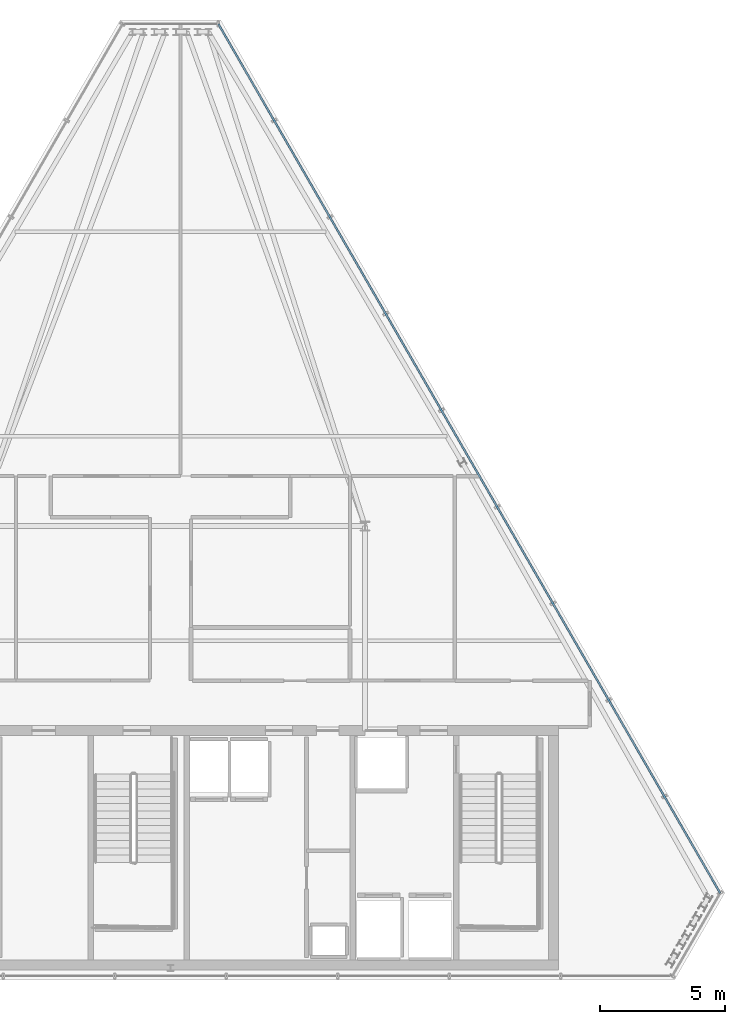
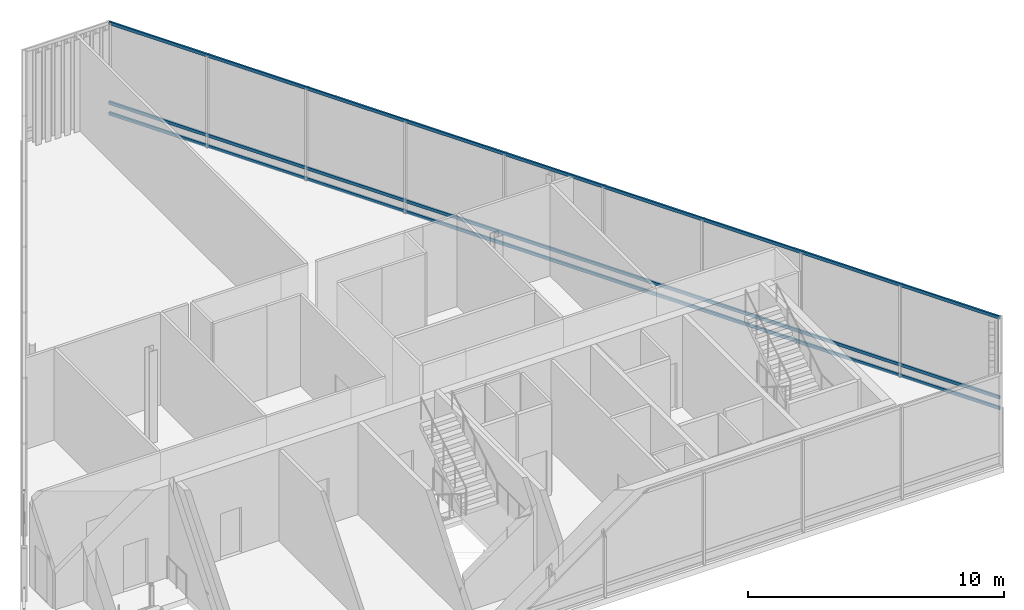
# One storey, part 16 of 25: 3 members, 1 element without a shape of its own.
"""IFC4 building model written with IfcOpenShell, lengths in metres."""

from ifc_helpers import new_model, si_unit, direction, frame, origin, origin_2d, place, context, subcontext, project, spatial, hollow_rectangle, extrude, material, layer, layer_set, material_profile, profile_set, type_object, element, aggregate, save


model = new_model("IFC4")

# Units and contexts
model_context = context("Model", 3, precision=1e-05, world=origin(), true_north=direction((0.0, 1.0)))
body_context = subcontext(model_context, "Body", "Model", "MODEL_VIEW")
ifc_project = project(units=[si_unit("LENGTHUNIT", "METRE"), si_unit("AREAUNIT", "SQUARE_METRE"), si_unit("VOLUMEUNIT", "CUBIC_METRE"), si_unit("PLANEANGLEUNIT", "RADIAN"), si_unit("MASSUNIT", "GRAM", prefix="KILO")], contexts=[model_context])

# Site, building, storey
site_placement = place(None, origin())
site = spatial("IfcSite", under=ifc_project, at=site_placement, CompositionType="ELEMENT")
building_placement = place(site_placement, origin())
building = spatial("IfcBuilding", under=site, at=building_placement, Name="Ndaravel Arena Tower", CompositionType="ELEMENT")
storey_placement = place(building_placement, frame((0.0, 0.0, 303.300048828125)))
storey = spatial("IfcBuildingStorey", under=building, at=storey_placement, Name="L74", CompositionType="ELEMENT", Elevation=303.300048828125)

# Curtain wall, members
ifc_material_1 = material(Name="Aluminium", Category="aluminium")
ifc_layer = layer(ifc_material_1, 0.179931640625)
ifc_layer_set = layer_set([ifc_layer], Name="Aluminium")
curtain_wall_type = type_object("IfcCurtainWallType", Name="CW-SYS-04", PredefinedType="NOTDEFINED", material=ifc_layer_set)
curtain_wall_placement = place(storey_placement, origin())
curtain_wall = element("IfcCurtainWall", 1, at=curtain_wall_placement, inside=storey, type_object=curtain_wall_type, Name="L74 Faceted Crystal Curtain Wall CW-L74-E03", PredefinedType="NOTDEFINED")
ifc_material_2 = material(Name="Aluminium", Category="aluminium")
ifc_material_profile = material_profile(ifc_material_2, hollow_rectangle(XDim=0.074951171875, YDim=0.14990234375, WallThickness=0.00390625, at=origin_2d()), Name="CW TRANSOM 75x150x4")
ifc_profile_set = profile_set([ifc_material_profile], Name="Aluminium")
member_type = type_object("IfcMemberType", Name="MEM-CW-TRN150", PredefinedType="USERDEFINED", material=ifc_profile_set)
member_1_placement = place(storey_placement, frame((64.034912109375, 8.485107421875, 0.0400390625), z_axis=(-0.499998418301, 0.866026316977, 0.0), x_axis=(-0.866026316977, -0.499998418301, 0.0)))
member_1 = element("IfcMember", 2, at=member_1_placement, type_object=member_type, Name="CW-L74-E03 Transom 01", ObjectType="TRANSOM", PredefinedType="USERDEFINED", context=body_context, shape_type="SweptSolid", body=[
    extrude(hollow_rectangle(XDim=0.074951171875, YDim=0.14990234375, WallThickness=0.00390625, at=origin_2d()), origin(), (0.0, 0.0, 1.0), 40.230224609375),
])
member_2_placement = place(storey_placement, frame((64.034912109375, 8.485107421875, 0.550048828125), z_axis=(-0.499998418301, 0.866026316977, 0.0), x_axis=(-0.866026316977, -0.499998418301, 0.0)))
member_2 = element("IfcMember", 3, at=member_2_placement, type_object=member_type, Name="CW-L74-E03 Transom 02", ObjectType="TRANSOM", PredefinedType="USERDEFINED", context=body_context, shape_type="SweptSolid", body=[
    extrude(hollow_rectangle(XDim=0.074951171875, YDim=0.14990234375, WallThickness=0.00390625, at=origin_2d()), origin(), (0.0, 0.0, 1.0), 40.230224609375),
])
member_3_placement = place(storey_placement, frame((64.034912109375, 8.485107421875, 4.35986328125), z_axis=(-0.499998418301, 0.866026316977, 0.0), x_axis=(-0.866026316977, -0.499998418301, 0.0)))
member_3 = element("IfcMember", 4, at=member_3_placement, type_object=member_type, Name="CW-L74-E03 Transom 03", ObjectType="TRANSOM", PredefinedType="USERDEFINED", context=body_context, shape_type="SweptSolid", body=[
    extrude(hollow_rectangle(XDim=0.074951171875, YDim=0.14990234375, WallThickness=0.00390625, at=origin_2d()), origin(), (0.0, 0.0, 1.0), 40.230224609375),
])
aggregate(curtain_wall, [member_1, member_2, member_3])

save(model, "model.ifc")
